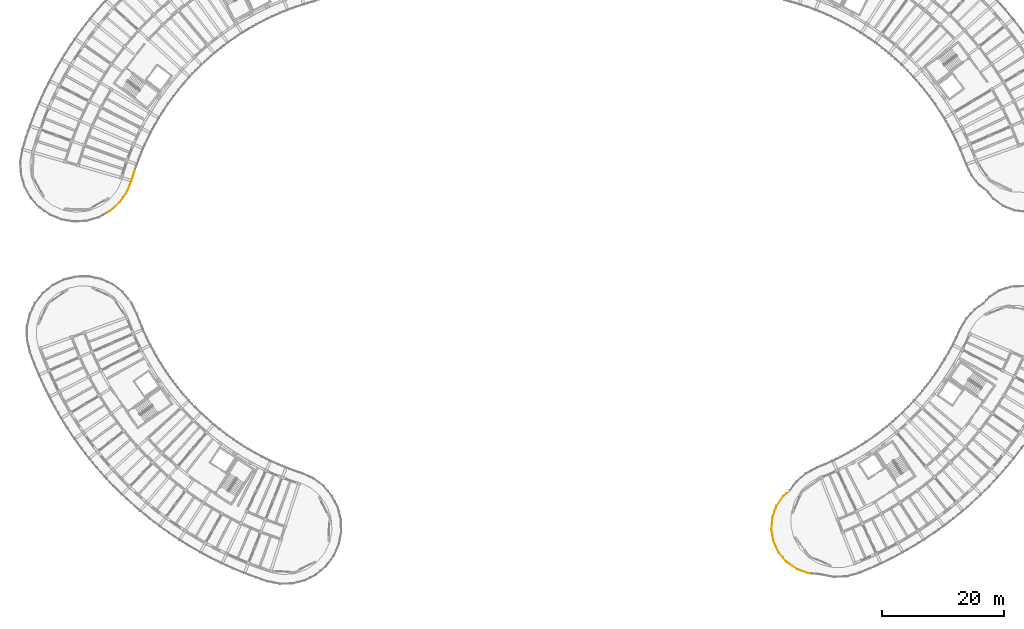
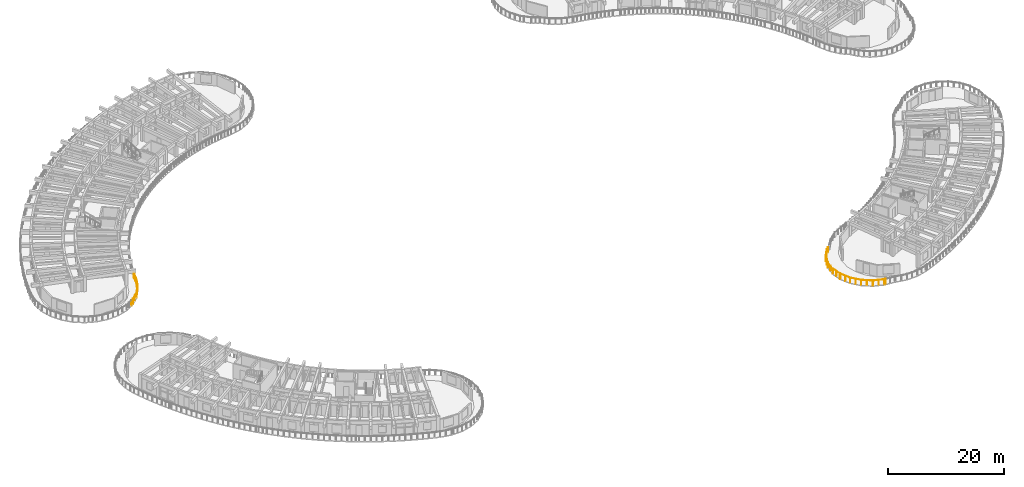
# One storey, part 68 of 83: 3 railings.
"""IFC4 building model written with IfcOpenShell, lengths in metres."""

from ifc_helpers import new_model, si_unit, direction, frame, origin, origin_2d, place, context, subcontext, project, spatial, circle, extrude, material, type_object, element, save


model = new_model("IFC4")

# Units and contexts
model_context = context("Model", 3, precision=1e-05, world=origin(), true_north=direction((0.0, 1.0)))
body_context = subcontext(model_context, "Body", "Model", "MODEL_VIEW")
ifc_project = project(units=[si_unit("LENGTHUNIT", "METRE"), si_unit("AREAUNIT", "SQUARE_METRE"), si_unit("VOLUMEUNIT", "CUBIC_METRE"), si_unit("PLANEANGLEUNIT", "RADIAN"), si_unit("MASSUNIT", "GRAM", prefix="KILO")], contexts=[model_context])

# Site, building, storey
site_placement = place(None, origin())
site = spatial("IfcSite", under=ifc_project, at=site_placement, CompositionType="ELEMENT")
building_placement = place(site_placement, origin())
building = spatial("IfcBuilding", under=site, at=building_placement, Name="Tanwirah Colonnade Gardens", CompositionType="ELEMENT")
storey_placement = place(building_placement, frame((0.0, 0.0, 25.639892578125)))
storey = spatial("IfcBuildingStorey", under=building, at=storey_placement, Name="L07", CompositionType="ELEMENT", Elevation=25.639892578125)

# Railings
ifc_material = material(Name="Precast concrete C40/50", Category="concrete")
railing_type_1 = type_object("IfcRailingType", Name="BAL-EXT110", PredefinedType="BALUSTRADE", material=ifc_material)
railing_1_placement = place(storey_placement, frame((135.45556640625, 7.411865234375, 0.0)))
element("IfcRailing", 1, at=railing_1_placement, inside=storey, type_object=railing_type_1, Name="Block D L07 Balcony Ribbon Balustrade 16", PredefinedType="BALUSTRADE", context=body_context, shape_type="SweptSolid", body=[
    extrude(circle(Radius=0.02392578125, at=origin_2d()), frame((-0.03125, 0.002685546875, 1.076171875), z_axis=(-0.996552732166, 0.082961750292, 0.0), x_axis=(-0.082961750292, -0.996552732166, 0.0)), (0.0, 0.0, 1.0), 0.1787109375),
    extrude(circle(Radius=0.02392578125, at=origin_2d()), frame((-0.27001953125, 0.030517578125, 1.076171875), z_axis=(-0.941189731652, 0.337878512238, 0.0), x_axis=(-0.337878512238, -0.941189731652, 0.0)), (0.0, 0.0, 1.0), 1.95263671875),
    extrude(circle(Radius=0.02392578125, at=origin_2d()), frame((-2.162841796875, 0.71875, 1.076171875), z_axis=(-0.821598536712, 0.570066526357, 0.0), x_axis=(-0.570066526357, -0.821598536712, 0.0)), (0.0, 0.0, 1.0), 1.952392578125),
    extrude(circle(Radius=0.02392578125, at=origin_2d()), frame((-3.81298828125, 1.87353515625, 1.076171875), z_axis=(-0.64617029338, 0.763193259898, 0.0), x_axis=(-0.763193259898, -0.64617029338, 0.0)), (0.0, 0.0, 1.0), 1.952880859375),
    extrude(circle(Radius=0.02392578125, at=origin_2d()), frame((-5.1083984375, 3.416015625, 1.076171875), z_axis=(-0.426497119786, 0.904488920228, 0.0), x_axis=(-0.904488920228, -0.426497119786, 0.0)), (0.0, 0.0, 1.0), 1.952392578125),
    extrude(circle(Radius=0.02392578125, at=origin_2d()), frame((-5.9599609375, 5.240966796875, 1.076171875), z_axis=(-0.178560325497, 0.983928966013, 0.0), x_axis=(-0.983928966013, -0.178560325497, 0.0)), (0.0, 0.0, 1.0), 0.1357421875),
    extrude(circle(Radius=0.02099609375, at=origin_2d()), origin(), (0.0, 0.0, 1.0), 1.049072265625),
    extrude(circle(Radius=0.02099609375, at=origin_2d()), frame((-0.240478515625, 0.02001953125, 0.0)), (0.0, 0.0, 1.0), 1.049072265625),
    extrude(circle(Radius=0.02099609375, at=origin_2d()), frame((-1.18896484375, 0.3603515625, 0.0)), (0.0, 0.0, 1.0), 1.049072265625),
    extrude(circle(Radius=0.02099609375, at=origin_2d()), frame((-2.13720703125, 0.700927734375, 0.0)), (0.0, 0.0, 1.0), 1.049072265625),
    extrude(circle(Radius=0.02099609375, at=origin_2d()), frame((-2.96484375, 1.275390625, 0.0)), (0.0, 0.0, 1.0), 1.049072265625),
    extrude(circle(Radius=0.02099609375, at=origin_2d()), frame((-3.792724609375, 1.849609375, 0.0)), (0.0, 0.0, 1.0), 1.049072265625),
    extrude(circle(Radius=0.02099609375, at=origin_2d()), frame((-4.44384765625, 2.61865234375, 0.0)), (0.0, 0.0, 1.0), 1.049072265625),
    extrude(circle(Radius=0.02099609375, at=origin_2d()), frame((-5.094970703125, 3.3876953125, 0.0)), (0.0, 0.0, 1.0), 1.049072265625),
    extrude(circle(Radius=0.02099609375, at=origin_2d()), frame((-5.524658203125, 4.298828125, 0.0)), (0.0, 0.0, 1.0), 1.049072265625),
    extrude(circle(Radius=0.02099609375, at=origin_2d()), frame((-5.954345703125, 5.210205078125, 0.0)), (0.0, 0.0, 1.0), 1.049072265625),
    extrude(circle(Radius=0.02099609375, at=origin_2d()), frame((-5.98974609375, 5.4052734375, 0.0)), (0.0, 0.0, 1.0), 1.049072265625),
])
railing_2_placement = place(storey_placement, frame((129.4658203125, 12.817138671875, 0.0)))
element("IfcRailing", 2, at=railing_2_placement, inside=storey, type_object=railing_type_1, Name="Block D L07 Balcony Ribbon Balustrade 17", PredefinedType="BALUSTRADE", context=body_context, shape_type="SweptSolid", body=[
    extrude(circle(Radius=0.02392578125, at=origin_2d()), frame((-0.005615234375, 0.03076171875, 1.076171875), z_axis=(-0.177915683968, 0.98404573542, 0.0), x_axis=(-0.98404573542, -0.177915683968, 0.0)), (0.0, 0.0, 1.0), 1.75439453125),
    extrude(circle(Radius=0.02392578125, at=origin_2d()), frame((-0.320556640625, 1.819091796875, 1.076171875), z_axis=(0.082744692617, 0.996570778141, 0.0), x_axis=(-0.996570778141, 0.082744692617, 0.0)), (0.0, 0.0, 1.0), 1.95263671875),
    extrude(circle(Radius=0.02392578125, at=origin_2d()), frame((-0.14599609375, 3.82568359375, 1.076171875), z_axis=(0.337878512238, 0.941189731652, 0.0), x_axis=(-0.941189731652, 0.337878512238, 0.0)), (0.0, 0.0, 1.0), 1.95263671875),
    extrude(circle(Radius=0.02392578125, at=origin_2d()), frame((0.542236328125, 5.718505859375, 1.076171875), z_axis=(0.570066526357, 0.821598536712, 0.0), x_axis=(-0.821598536712, 0.570066526357, 0.0)), (0.0, 0.0, 1.0), 1.952392578125),
    extrude(circle(Radius=0.02392578125, at=origin_2d()), frame((1.697021484375, 7.36865234375, 1.076171875), z_axis=(0.763081216004, 0.646302605427, 0.0), x_axis=(-0.646302605427, 0.763081216004, 0.0)), (0.0, 0.0, 1.0), 0.5751953125),
    extrude(circle(Radius=0.02099609375, at=origin_2d()), origin(), (0.0, 0.0, 1.0), 1.049072265625),
    extrude(circle(Radius=0.02099609375, at=origin_2d()), frame((-0.16162109375, 0.89404296875, 0.0)), (0.0, 0.0, 1.0), 1.049072265625),
    extrude(circle(Radius=0.02099609375, at=origin_2d()), frame((-0.3232421875, 1.787841796875, 0.0)), (0.0, 0.0, 1.0), 1.049072265625),
    extrude(circle(Radius=0.02099609375, at=origin_2d()), frame((-0.23974609375, 2.7919921875, 0.0)), (0.0, 0.0, 1.0), 1.049072265625),
    extrude(circle(Radius=0.02099609375, at=origin_2d()), frame((-0.156494140625, 3.796142578125, 0.0)), (0.0, 0.0, 1.0), 1.049072265625),
    extrude(circle(Radius=0.02099609375, at=origin_2d()), frame((0.18408203125, 4.74462890625, 0.0)), (0.0, 0.0, 1.0), 1.049072265625),
    extrude(circle(Radius=0.02099609375, at=origin_2d()), frame((0.5244140625, 5.69287109375, 0.0)), (0.0, 0.0, 1.0), 1.049072265625),
    extrude(circle(Radius=0.02099609375, at=origin_2d()), frame((1.0986328125, 6.5205078125, 0.0)), (0.0, 0.0, 1.0), 1.049072265625),
    extrude(circle(Radius=0.02099609375, at=origin_2d()), frame((1.673095703125, 7.348388671875, 0.0)), (0.0, 0.0, 1.0), 1.049072265625),
    extrude(circle(Radius=0.02099609375, at=origin_2d()), frame((2.15966796875, 7.760498046875, 0.0)), (0.0, 0.0, 1.0), 1.049072265625),
])
railing_type_2 = type_object("IfcRailingType", Name="BAL-EXT112", PredefinedType="BALUSTRADE", material=ifc_material)
railing_3_placement = place(storey_placement, frame((24.490234375, 73.623779296875, 0.0)))
element("IfcRailing", 3, at=railing_3_placement, inside=storey, type_object=railing_type_2, Name="Block A L07 Balcony Ribbon Balustrade 7", PredefinedType="BALUSTRADE", context=body_context, shape_type="SweptSolid", body=[
    extrude(circle(Radius=0.02392578125, at=origin_2d()), frame((-0.010009765625, -0.029541015625, 1.09619140625), z_axis=(-0.322432998428, -0.946592288963, 0.0), x_axis=(0.946592288963, -0.322432998428, 0.0)), (0.0, 0.0, 1.0), 0.267578125),
    extrude(circle(Radius=0.02392578125, at=origin_2d()), frame((-0.1162109375, -0.3447265625, 1.09619140625), z_axis=(-0.29148764702, -0.956574592823, 0.0), x_axis=(0.956574592823, -0.29148764702, 0.0)), (0.0, 0.0, 1.0), 1.337890625),
    extrude(circle(Radius=0.02392578125, at=origin_2d()), frame((-0.52734375, -1.683349609375, 1.09619140625), z_axis=(-0.381489237895, -0.92437328032, 0.0), x_axis=(0.92437328032, -0.381489237895, 0.0)), (0.0, 0.0, 1.0), 2.029541015625),
    extrude(circle(Radius=0.02392578125, at=origin_2d()), frame((-1.33154296875, -3.614013671875, 1.09619140625), z_axis=(-0.577647272924, -0.816286486525, 0.0), x_axis=(0.816286486525, -0.577647272924, 0.0)), (0.0, 0.0, 1.0), 2.0244140625),
    extrude(circle(Radius=0.02392578125, at=origin_2d()), frame((-2.542236328125, -5.312744140625, 1.09619140625), z_axis=(-0.744822012119, -0.667263194146, 0.0), x_axis=(0.667263194146, -0.744822012119, 0.0)), (0.0, 0.0, 1.0), 2.0244140625),
    extrude(circle(Radius=0.02392578125, at=origin_2d()), frame((-4.100830078125, -6.69970703125, 1.09619140625), z_axis=(-0.874616555828, -0.48481530532, 0.0), x_axis=(0.48481530532, -0.874616555828, 0.0)), (0.0, 0.0, 1.0), 0.4384765625),
    extrude(circle(Radius=0.02099609375, at=origin_2d()), origin(), (0.0, 0.0, 1.0), 1.069091796875),
    extrude(circle(Radius=0.02099609375, at=origin_2d()), frame((-0.1064453125, -0.3125, 0.0)), (0.0, 0.0, 1.0), 1.069091796875),
    extrude(circle(Radius=0.02099609375, at=origin_2d()), frame((-0.311279296875, -0.98486328125, 0.0)), (0.0, 0.0, 1.0), 1.069091796875),
    extrude(circle(Radius=0.02099609375, at=origin_2d()), frame((-0.515380859375, -1.654541015625, 0.0)), (0.0, 0.0, 1.0), 1.069091796875),
    extrude(circle(Radius=0.02099609375, at=origin_2d()), frame((-0.91455078125, -2.62158203125, 0.0)), (0.0, 0.0, 1.0), 1.069091796875),
    extrude(circle(Radius=0.02099609375, at=origin_2d()), frame((-1.3134765625, -3.58837890625, 0.0)), (0.0, 0.0, 1.0), 1.069091796875),
    extrude(circle(Radius=0.02099609375, at=origin_2d()), frame((-1.916259765625, -4.440185546875, 0.0)), (0.0, 0.0, 1.0), 1.069091796875),
    extrude(circle(Radius=0.02099609375, at=origin_2d()), frame((-2.51904296875, -5.2919921875, 0.0)), (0.0, 0.0, 1.0), 1.069091796875),
    extrude(circle(Radius=0.02099609375, at=origin_2d()), frame((-3.29638671875, -5.98828125, 0.0)), (0.0, 0.0, 1.0), 1.069091796875),
    extrude(circle(Radius=0.02099609375, at=origin_2d()), frame((-4.073486328125, -6.6845703125, 0.0)), (0.0, 0.0, 1.0), 1.069091796875),
    extrude(circle(Radius=0.02099609375, at=origin_2d()), frame((-4.51171875, -6.927490234375, 0.0)), (0.0, 0.0, 1.0), 1.069091796875),
])

save(model, "model.ifc")
